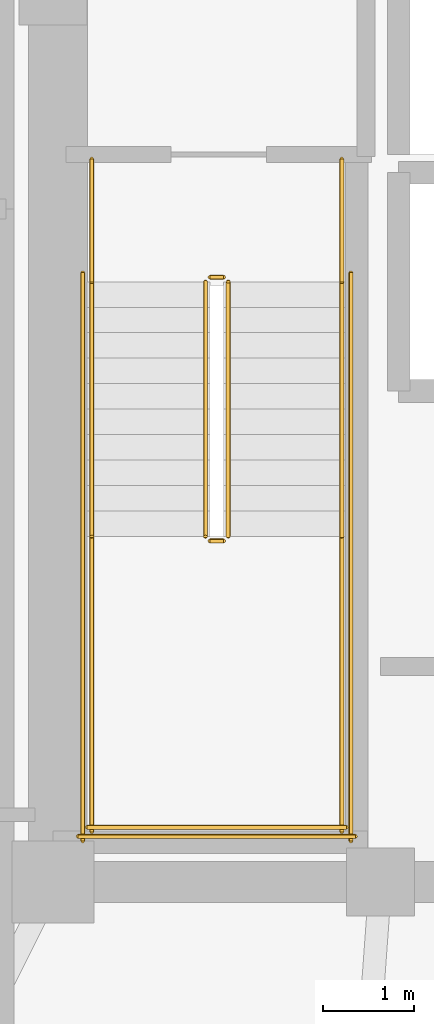
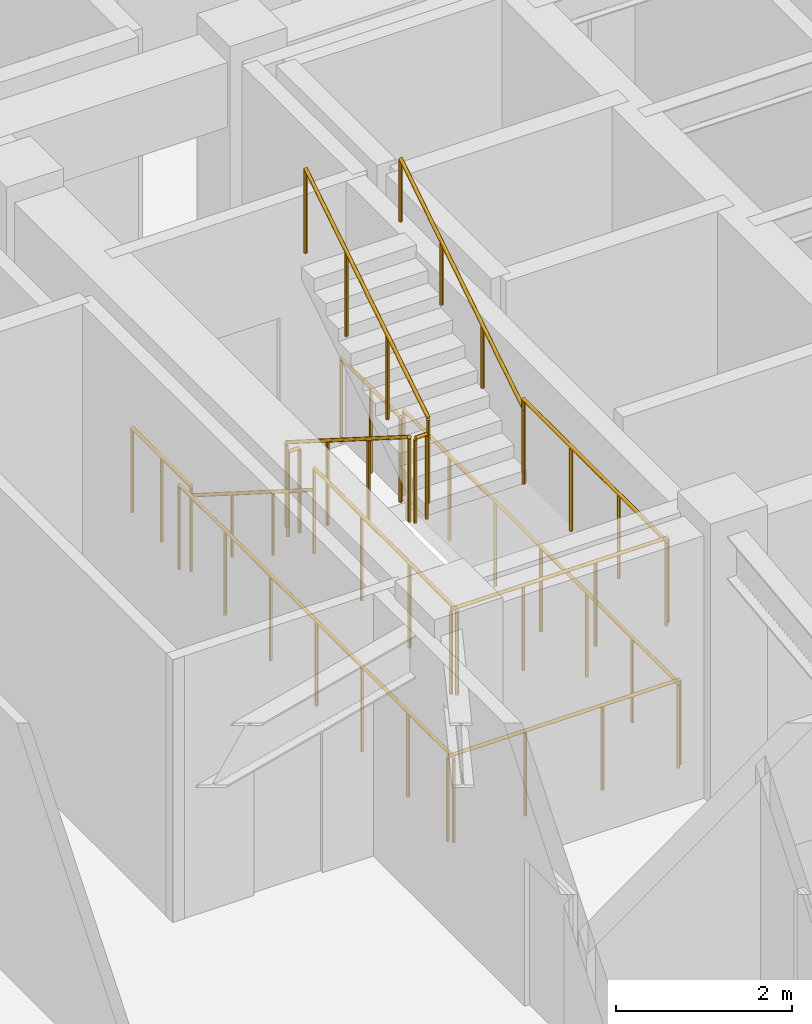
# One storey, part 11 of 12: 14 railings.
"""IFC4 building model written with IfcOpenShell, lengths in metres."""

from ifc_helpers import new_model, si_unit, direction, frame, origin, origin_2d, place, context, subcontext, project, spatial, circle, extrude, material, type_object, element, save


model = new_model("IFC4")

# Units and contexts
model_context = context("Model", 3, precision=1e-05, world=origin(), true_north=direction((0.0, 1.0)))
body_context = subcontext(model_context, "Body", "Model", "MODEL_VIEW")
ifc_project = project(units=[si_unit("LENGTHUNIT", "METRE"), si_unit("AREAUNIT", "SQUARE_METRE"), si_unit("VOLUMEUNIT", "CUBIC_METRE"), si_unit("PLANEANGLEUNIT", "RADIAN"), si_unit("MASSUNIT", "GRAM", prefix="KILO")], contexts=[model_context])

# Site, building, storey
site_placement = place(None, origin())
site = spatial("IfcSite", under=ifc_project, at=site_placement, CompositionType="ELEMENT")
building_placement = place(site_placement, origin())
building = spatial("IfcBuilding", under=site, at=building_placement, Name="Voryun Gate Residences", CompositionType="ELEMENT")
storey_placement = place(building_placement, frame((0.0, 0.0, 152.10009765625)))
storey = spatial("IfcBuildingStorey", under=building, at=storey_placement, Name="L37", CompositionType="ELEMENT", Elevation=152.10009765625)

# Railings
ifc_material_1 = material(Name="Painted steel", Category="steel")
railing_type_1 = type_object("IfcRailingType", Name="RAIL_STAIR_GUARD_1200", PredefinedType="GUARDRAIL", material=ifc_material_1)
railing_1_placement = place(storey_placement, frame((-17.52490234375, -0.800048828125, 0.17724609375)))
element("IfcRailing", 1, at=railing_1_placement, inside=storey, type_object=railing_type_1, Name="L37 ST-W1 stair guard 1", PredefinedType="GUARDRAIL", context=body_context, shape_type="SweptSolid", body=[
    extrude(circle(Radius=0.02392578125, at=origin_2d()), frame((0.0, 0.0, 1.17578125), z_axis=(0.0, -0.844908973607, 0.534910110503), x_axis=(1.0, 0.0, 0.0)), (0.0, 0.0, 1.0), 3.31396484375),
    extrude(circle(Radius=0.02099609375, at=origin_2d()), origin(), (0.0, 0.0, 1.0), 1.15185546875),
    extrude(circle(Radius=0.02099609375, at=origin_2d()), frame((0.0, -0.933349609375, 0.5908203125)), (0.0, 0.0, 1.0), 1.15185546875),
    extrude(circle(Radius=0.02099609375, at=origin_2d()), frame((0.0, -1.86669921875, 1.181884765625)), (0.0, 0.0, 1.0), 1.15185546875),
    extrude(circle(Radius=0.02099609375, at=origin_2d()), frame((0.0, -2.800048828125, 1.772705078125)), (0.0, 0.0, 1.0), 1.15185546875),
])
railing_2_placement = place(storey_placement, frame((-17.47509765625, -3.64990234375, 1.949951171875)))
element("IfcRailing", 2, at=railing_2_placement, inside=storey, type_object=railing_type_1, Name="L37 ST-W1 stair guard 2", PredefinedType="GUARDRAIL", context=body_context, shape_type="SweptSolid", body=[
    extrude(circle(Radius=0.02392578125, at=origin_2d()), frame((0.0, 0.0, 1.17578125), z_axis=(1.0, 0.0, 0.0), x_axis=(0.0, 1.0, 0.0)), (0.0, 0.0, 1.0), 0.150146484375),
    extrude(circle(Radius=0.02099609375, at=origin_2d()), origin(), (0.0, 0.0, 1.0), 1.15185546875),
    extrude(circle(Radius=0.02099609375, at=origin_2d()), frame((0.150146484375, 0.0, 0.0)), (0.0, 0.0, 1.0), 1.15185546875),
])
for number, where, name in (
    (3, (-18.77490234375, -3.60009765625, 1.949951171875), "L37 ST-W1 stair guard 3"),
    (4, (-16.02490234375, -3.60009765625, 1.949951171875), "L37 ST-W1 stair guard 4"),
):
    element("IfcRailing", number, at=place(storey_placement, frame(where)), inside=storey, type_object=railing_type_1, Name=name, PredefinedType="GUARDRAIL", context=body_context, shape_type="SweptSolid", body=[
        extrude(circle(Radius=0.02392578125, at=origin_2d()), frame((0.0, 0.0, 1.17578125), z_axis=(0.0, -1.0, 0.0), x_axis=(1.0, 0.0, 0.0)), (0.0, 0.0, 1.0), 3.25),
        extrude(circle(Radius=0.02099609375, at=origin_2d()), origin(), (0.0, 0.0, 1.0), 1.15185546875),
        extrude(circle(Radius=0.02099609375, at=origin_2d()), frame((0.0, -1.083251953125, 0.0)), (0.0, 0.0, 1.0), 1.15185546875),
        extrude(circle(Radius=0.02099609375, at=origin_2d()), frame((0.0, -2.166748046875, 0.0)), (0.0, 0.0, 1.0), 1.15185546875),
        extrude(circle(Radius=0.02099609375, at=origin_2d()), frame((0.0, -3.25, 0.0)), (0.0, 0.0, 1.0), 1.15185546875),
    ])
railing_3_placement = place(storey_placement, frame((-18.824951171875, -6.800048828125, 1.949951171875)))
element("IfcRailing", 5, at=railing_3_placement, inside=storey, type_object=railing_type_1, Name="L37 ST-W1 stair guard 5", PredefinedType="GUARDRAIL", context=body_context, shape_type="SweptSolid", body=[
    extrude(circle(Radius=0.02392578125, at=origin_2d()), frame((0.0, 0.0, 1.17578125), z_axis=(1.0, 0.0, 0.0), x_axis=(0.0, 1.0, 0.0)), (0.0, 0.0, 1.0), 2.849853515625),
    extrude(circle(Radius=0.02099609375, at=origin_2d()), origin(), (0.0, 0.0, 1.0), 1.15185546875),
    extrude(circle(Radius=0.02099609375, at=origin_2d()), frame((0.949951171875, 0.0, 0.0)), (0.0, 0.0, 1.0), 1.15185546875),
    extrude(circle(Radius=0.02099609375, at=origin_2d()), frame((1.89990234375, 0.0, 0.0)), (0.0, 0.0, 1.0), 1.15185546875),
    extrude(circle(Radius=0.02099609375, at=origin_2d()), frame((2.849853515625, 0.0, 0.0)), (0.0, 0.0, 1.0), 1.15185546875),
])
railing_4_placement = place(storey_placement, frame((-17.27490234375, -3.60009765625, 2.127197265625)))
element("IfcRailing", 6, at=railing_4_placement, inside=storey, type_object=railing_type_1, Name="L37 ST-W1 stair guard 6", PredefinedType="GUARDRAIL", context=body_context, shape_type="SweptSolid", body=[
    extrude(circle(Radius=0.02392578125, at=origin_2d()), frame((0.0, 0.0, 1.17578125), z_axis=(0.0, 0.844908973607, 0.534910110503), x_axis=(-1.0, 0.0, 0.0)), (0.0, 0.0, 1.0), 3.31396484375),
    extrude(circle(Radius=0.02099609375, at=origin_2d()), origin(), (0.0, 0.0, 1.0), 1.15185546875),
    extrude(circle(Radius=0.02099609375, at=origin_2d()), frame((0.0, 0.933349609375, 0.5908203125)), (0.0, 0.0, 1.0), 1.15185546875),
    extrude(circle(Radius=0.02099609375, at=origin_2d()), frame((0.0, 1.86669921875, 1.181884765625)), (0.0, 0.0, 1.0), 1.15185546875),
    extrude(circle(Radius=0.02099609375, at=origin_2d()), frame((0.0, 2.800048828125, 1.772705078125)), (0.0, 0.0, 1.0), 1.15185546875),
])
railing_5_placement = place(storey_placement, frame((-17.47509765625, -0.75, 0.0)))
element("IfcRailing", 7, at=railing_5_placement, inside=storey, type_object=railing_type_1, Name="L37 ST-W1 stair guard 7", PredefinedType="GUARDRAIL", context=body_context, shape_type="SweptSolid", body=[
    extrude(circle(Radius=0.02392578125, at=origin_2d()), frame((0.0, 0.0, 1.17578125), z_axis=(1.0, 0.0, 0.0), x_axis=(0.0, 1.0, 0.0)), (0.0, 0.0, 1.0), 0.150146484375),
    extrude(circle(Radius=0.02099609375, at=origin_2d()), origin(), (0.0, 0.0, 1.0), 1.15185546875),
    extrude(circle(Radius=0.02099609375, at=origin_2d()), frame((0.150146484375, 0.0, 0.0)), (0.0, 0.0, 1.0), 1.15185546875),
])
for number, where, name in (
    (8, (-18.77490234375, 0.550048828125, 0.0), "L37 ST-W1 stair guard 8"),
    (9, (-16.02490234375, 0.550048828125, 0.0), "L37 ST-W1 stair guard 9"),
):
    element("IfcRailing", number, at=place(storey_placement, frame(where)), inside=storey, type_object=railing_type_1, Name=name, PredefinedType="GUARDRAIL", context=body_context, shape_type="SweptSolid", body=[
        extrude(circle(Radius=0.02392578125, at=origin_2d()), frame((0.0, 0.0, 1.17578125), z_axis=(0.0, -1.0, 0.0), x_axis=(1.0, 0.0, 0.0)), (0.0, 0.0, 1.0), 1.35009765625),
        extrude(circle(Radius=0.02099609375, at=origin_2d()), origin(), (0.0, 0.0, 1.0), 1.15185546875),
        extrude(circle(Radius=0.02099609375, at=origin_2d()), frame((0.0, -0.675048828125, 0.0)), (0.0, 0.0, 1.0), 1.15185546875),
        extrude(circle(Radius=0.02099609375, at=origin_2d()), frame((0.0, -1.35009765625, 0.0)), (0.0, 0.0, 1.0), 1.15185546875),
    ])
for number, where, name in (
    (10, (-18.875, -0.699951171875, 0.0), "L37 ST-W1 stair guard 10"),
    (11, (-15.925048828125, -0.699951171875, 0.0), "L37 ST-W1 stair guard 11"),
):
    element("IfcRailing", number, at=place(storey_placement, frame(where)), inside=storey, type_object=railing_type_1, Name=name, PredefinedType="GUARDRAIL", context=body_context, shape_type="SweptSolid", body=[
        extrude(circle(Radius=0.02392578125, at=origin_2d()), frame((0.0, 0.0, 1.17578125), z_axis=(0.0, -1.0, 0.0), x_axis=(1.0, 0.0, 0.0)), (0.0, 0.0, 1.0), 6.25),
        extrude(circle(Radius=0.02099609375, at=origin_2d()), origin(), (0.0, 0.0, 1.0), 1.15185546875),
        extrude(circle(Radius=0.02099609375, at=origin_2d()), frame((0.0, -1.041748046875, 0.0)), (0.0, 0.0, 1.0), 1.15185546875),
        extrude(circle(Radius=0.02099609375, at=origin_2d()), frame((0.0, -2.083251953125, 0.0)), (0.0, 0.0, 1.0), 1.15185546875),
        extrude(circle(Radius=0.02099609375, at=origin_2d()), frame((0.0, -3.125, 0.0)), (0.0, 0.0, 1.0), 1.15185546875),
        extrude(circle(Radius=0.02099609375, at=origin_2d()), frame((0.0, -4.166748046875, 0.0)), (0.0, 0.0, 1.0), 1.15185546875),
        extrude(circle(Radius=0.02099609375, at=origin_2d()), frame((0.0, -5.208251953125, 0.0)), (0.0, 0.0, 1.0), 1.15185546875),
        extrude(circle(Radius=0.02099609375, at=origin_2d()), frame((0.0, -6.25, 0.0)), (0.0, 0.0, 1.0), 1.15185546875),
    ])
railing_6_placement = place(storey_placement, frame((-18.925048828125, -6.89990234375, 0.0)))
element("IfcRailing", 12, at=railing_6_placement, inside=storey, type_object=railing_type_1, Name="L37 ST-W1 stair guard 12", PredefinedType="GUARDRAIL", context=body_context, shape_type="SweptSolid", body=[
    extrude(circle(Radius=0.02392578125, at=origin_2d()), frame((0.0, 0.0, 1.17578125), z_axis=(1.0, 0.0, 0.0), x_axis=(0.0, 1.0, 0.0)), (0.0, 0.0, 1.0), 3.050048828125),
    extrude(circle(Radius=0.02099609375, at=origin_2d()), origin(), (0.0, 0.0, 1.0), 1.15185546875),
    extrude(circle(Radius=0.02099609375, at=origin_2d()), frame((1.0166015625, 0.0, 0.0)), (0.0, 0.0, 1.0), 1.15185546875),
    extrude(circle(Radius=0.02099609375, at=origin_2d()), frame((2.033447265625, 0.0, 0.0)), (0.0, 0.0, 1.0), 1.15185546875),
    extrude(circle(Radius=0.02099609375, at=origin_2d()), frame((3.050048828125, 0.0, 0.0)), (0.0, 0.0, 1.0), 1.15185546875),
])
ifc_material_2 = material(Name="Painted steel", Category="steel")
railing_type_2 = type_object("IfcRailingType", Name="RAIL_STAIR_HANDRAIL_900", PredefinedType="HANDRAIL", material=ifc_material_2)
railing_7_placement = place(storey_placement, frame((-18.77490234375, -0.800048828125, 0.17724609375)))
element("IfcRailing", 13, at=railing_7_placement, inside=storey, type_object=railing_type_2, Name="L37 ST-W1 stair handrail 1", PredefinedType="HANDRAIL", context=body_context, shape_type="SweptSolid", body=[
    extrude(circle(Radius=0.02392578125, at=origin_2d()), frame((0.0, 0.0, 0.8759765625), z_axis=(0.0, -0.844908973607, 0.534910110503), x_axis=(1.0, 0.0, 0.0)), (0.0, 0.0, 1.0), 3.31396484375),
    extrude(circle(Radius=0.02099609375, at=origin_2d()), origin(), (0.0, 0.0, 1.0), 0.851806640625),
    extrude(circle(Radius=0.02099609375, at=origin_2d()), frame((0.0, -0.933349609375, 0.5908203125)), (0.0, 0.0, 1.0), 0.851806640625),
    extrude(circle(Radius=0.02099609375, at=origin_2d()), frame((0.0, -1.86669921875, 1.181884765625)), (0.0, 0.0, 1.0), 0.851806640625),
    extrude(circle(Radius=0.02099609375, at=origin_2d()), frame((0.0, -2.800048828125, 1.772705078125)), (0.0, 0.0, 1.0), 0.851806640625),
])
railing_8_placement = place(storey_placement, frame((-16.02490234375, -3.60009765625, 2.127197265625)))
element("IfcRailing", 14, at=railing_8_placement, inside=storey, type_object=railing_type_2, Name="L37 ST-W1 stair handrail 2", PredefinedType="HANDRAIL", context=body_context, shape_type="SweptSolid", body=[
    extrude(circle(Radius=0.02392578125, at=origin_2d()), frame((0.0, 0.0, 0.8759765625), z_axis=(0.0, 0.844908973607, 0.534910110503), x_axis=(-1.0, 0.0, 0.0)), (0.0, 0.0, 1.0), 3.31396484375),
    extrude(circle(Radius=0.02099609375, at=origin_2d()), origin(), (0.0, 0.0, 1.0), 0.851806640625),
    extrude(circle(Radius=0.02099609375, at=origin_2d()), frame((0.0, 0.933349609375, 0.5908203125)), (0.0, 0.0, 1.0), 0.851806640625),
    extrude(circle(Radius=0.02099609375, at=origin_2d()), frame((0.0, 1.86669921875, 1.181884765625)), (0.0, 0.0, 1.0), 0.851806640625),
    extrude(circle(Radius=0.02099609375, at=origin_2d()), frame((0.0, 2.800048828125, 1.772705078125)), (0.0, 0.0, 1.0), 0.851806640625),
])

save(model, "model.ifc")
